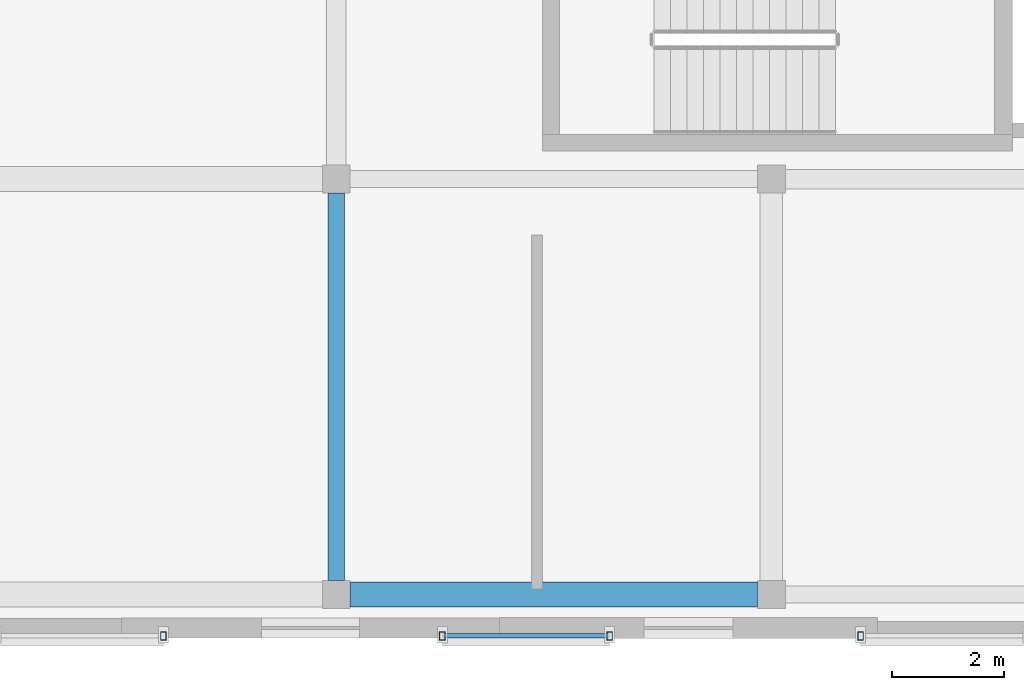
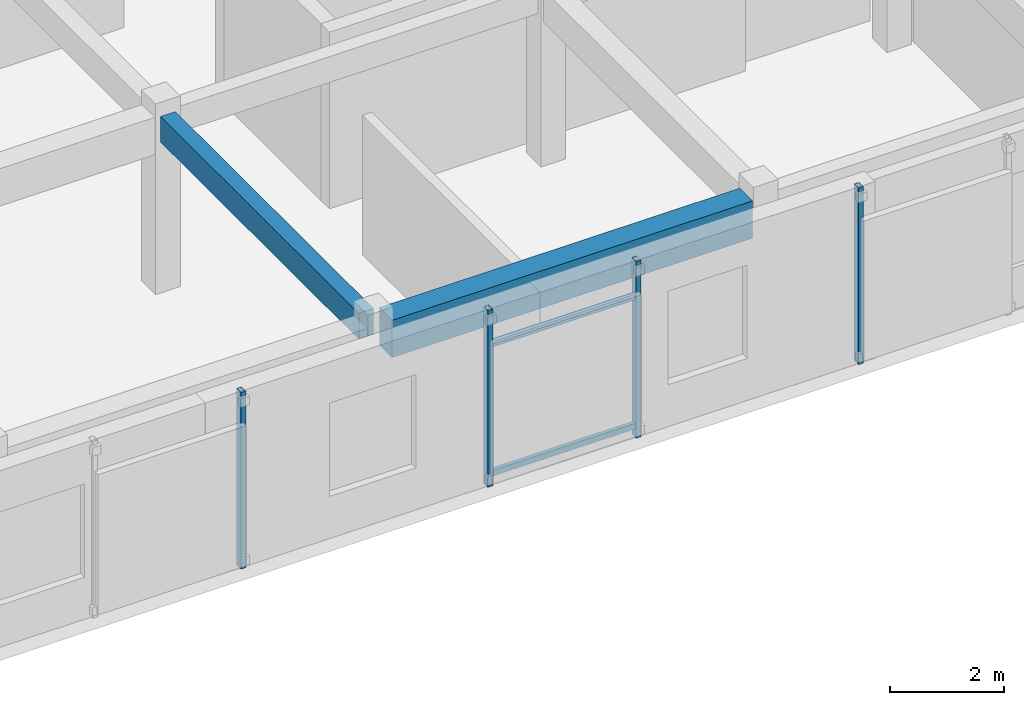
# One storey, part 34 of 91: 6 members, 2 beams.
"""IFC4 building model written with IfcOpenShell, lengths in metres."""

from ifc_helpers import new_model, si_unit, direction, frame, origin, origin_2d, place, context, subcontext, project, spatial, rectangle, hollow_rectangle, extrude, material, material_profile, profile_set, type_object, element, save


model = new_model("IFC4")

# Units and contexts
model_context = context("Model", 3, precision=1e-05, world=origin(), true_north=direction((0.0, 1.0)))
body_context = subcontext(model_context, "Body", "Model", "MODEL_VIEW")
ifc_project = project(units=[si_unit("LENGTHUNIT", "METRE"), si_unit("AREAUNIT", "SQUARE_METRE"), si_unit("VOLUMEUNIT", "CUBIC_METRE"), si_unit("PLANEANGLEUNIT", "RADIAN"), si_unit("MASSUNIT", "GRAM", prefix="KILO")], contexts=[model_context])

# Site, building, storey
site_placement = place(None, origin())
site = spatial("IfcSite", under=ifc_project, at=site_placement, CompositionType="ELEMENT")
building_placement = place(site_placement, origin())
building = spatial("IfcBuilding", under=site, at=building_placement, Name="Valcora Specialist Clinic", CompositionType="ELEMENT")
storey_placement = place(building_placement, frame((0.0, 0.0, 13.60009765625)))
storey = spatial("IfcBuildingStorey", under=building, at=storey_placement, Name="L03", CompositionType="ELEMENT", Elevation=13.60009765625)

# Beams
ifc_material_1 = material(Name="Concrete C40/50", Category="concrete")
ifc_material_profile_1 = material_profile(ifc_material_1, rectangle(XDim=0.300048828125, YDim=0.550048828125, at=origin_2d()), Name="RC-BM-300X550")
ifc_profile_set_1 = profile_set([ifc_material_profile_1], Name="Concrete C40/50")
beam_type_1 = type_object("IfcBeamType", Name="TY-BM-RC300X550", PredefinedType="BEAM", material=ifc_profile_set_1)
beam_1_placement = place(storey_placement, frame((84.60009765625, 1.0, 3.5048828125), z_axis=(0.0, 1.0, 0.0), x_axis=(-1.0, 0.0, 0.0)))
element("IfcBeam", 1, at=beam_1_placement, inside=storey, type_object=beam_type_1, Name="Beam BM-L03-1457", PredefinedType="BEAM", context=body_context, shape_type="SweptSolid", body=[
    extrude(rectangle(XDim=0.300048828125, YDim=0.550048828125, at=origin_2d()), origin(), (0.0, 0.0, 1.0), 6.949951171875),
])
ifc_material_profile_2 = material_profile(ifc_material_1, rectangle(XDim=0.449951171875, YDim=0.800048828125, at=origin_2d()), Name="RC-BM-450X800")
ifc_profile_set_2 = profile_set([ifc_material_profile_2], Name="Concrete C40/50")
beam_type_2 = type_object("IfcBeamType", Name="TY-BM-RC450X800", PredefinedType="BEAM", material=ifc_profile_set_2)
beam_2_placement = place(storey_placement, frame((84.85009765625, 0.75, 3.3798828125), z_axis=(1.0, 0.0, 0.0), x_axis=(0.0, 1.0, 0.0)))
element("IfcBeam", 2, at=beam_2_placement, inside=storey, type_object=beam_type_2, Name="Beam BM-L03-1422", PredefinedType="BEAM", context=body_context, shape_type="SweptSolid", body=[
    extrude(rectangle(XDim=0.449951171875, YDim=0.800048828125, at=origin_2d()), origin(), (0.0, 0.0, 1.0), 7.2998046875),
])

# Members
ifc_material_2 = material(Name="Steel ASTM A500 Grade C", Category="steel")
ifc_material_profile_3 = material_profile(ifc_material_2, hollow_rectangle(XDim=0.10009765625, YDim=0.14990234375, WallThickness=0.006103515625, at=origin_2d()), Name="ST-RHS-150X100X6")
ifc_profile_set_3 = profile_set([ifc_material_profile_3], Name="Steel ASTM A500 Grade C")
member_type_1 = type_object("IfcMemberType", Name="TY-MB-SFPOST", PredefinedType="POST", material=ifc_profile_set_3)
for number, where, z_axis, x_axis, name in (
    (3, (81.5, 0.010009765625, 0.0), (0.0, 0.0, 1.0), (1.0, 0.0, 0.0), "Brick screen carrier post 150"),
    (4, (86.5, 0.010009765625, 0.0), (0.0, 0.0, 1.0), (1.0, 0.0, 0.0), "Brick screen carrier post 153"),
    (5, (89.5, 0.010009765625, 0.0), (0.0, 0.0, 1.0), (1.0, 0.0, 0.0), "Brick screen carrier post 154"),
    (6, (94.0, 0.010009765625, 0.0), (0.0, 0.0, 1.0), (1.0, 0.0, 0.0), "Brick screen carrier post 157"),
):
    element("IfcMember", number, at=place(storey_placement, frame(where, z_axis=z_axis, x_axis=x_axis)), inside=storey, type_object=member_type_1, Name=name, PredefinedType="POST", context=body_context, shape_type="SweptSolid", body=[
        extrude(hollow_rectangle(XDim=0.10009765625, YDim=0.14990234375, WallThickness=0.006103515625, at=origin_2d()), origin(), (0.0, 0.0, 1.0), 3.77978515625),
    ])
ifc_material_profile_4 = material_profile(ifc_material_2, hollow_rectangle(XDim=0.080078125, YDim=0.1201171875, WallThickness=0.0048828125, at=origin_2d()), Name="ST-RHS-120X80X5")
ifc_profile_set_4 = profile_set([ifc_material_profile_4], Name="Steel ASTM A500 Grade C")
member_type_2 = type_object("IfcMemberType", Name="TY-MB-SFRAIL", PredefinedType="STRINGER", material=ifc_profile_set_4)
for number, where, z_axis, x_axis, name in (
    (7, (86.5, 0.010009765625, 0.239990234375), (1.0, 0.0, 0.0), (0.0, 1.0, 0.0), "Brick screen carrier rail 155"),
    (8, (86.5, 0.010009765625, 3.0), (1.0, 0.0, 0.0), (0.0, 1.0, 0.0), "Brick screen carrier rail 156"),
):
    element("IfcMember", number, at=place(storey_placement, frame(where, z_axis=z_axis, x_axis=x_axis)), inside=storey, type_object=member_type_2, Name=name, PredefinedType="STRINGER", context=body_context, shape_type="SweptSolid", body=[
        extrude(hollow_rectangle(XDim=0.080078125, YDim=0.1201171875, WallThickness=0.0048828125, at=origin_2d()), origin(), (0.0, 0.0, 1.0), 3.0),
    ])

save(model, "model.ifc")
